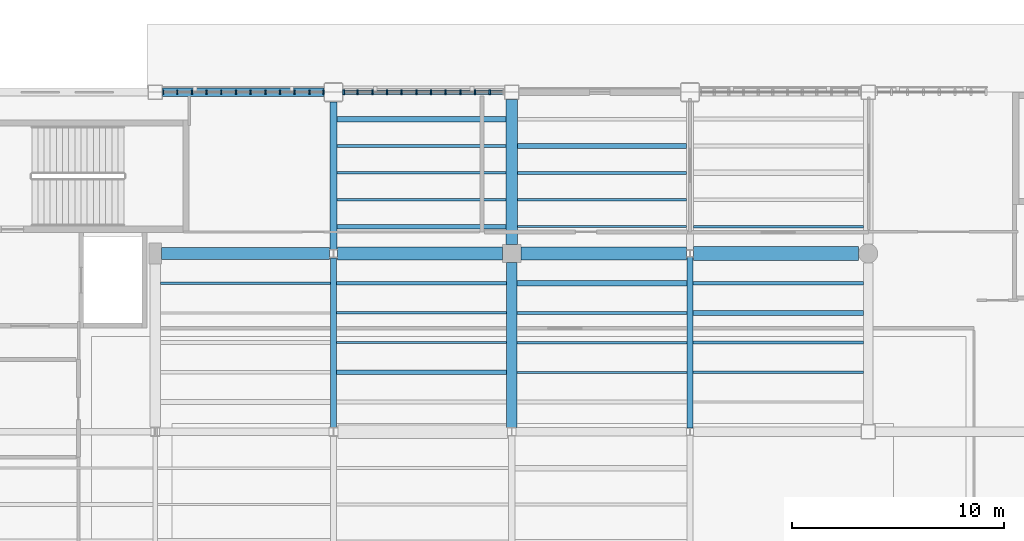
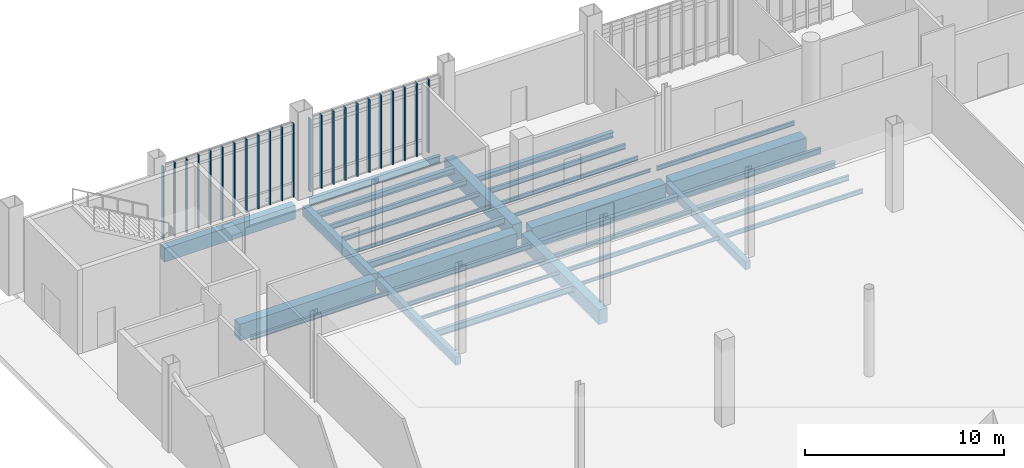
# One storey, part 25 of 111: 34 beams, 23 members, 2 elements without a shape of their own.
"""IFC4 building model written with IfcOpenShell, lengths in metres."""

from ifc_helpers import new_model, si_unit, direction, frame, origin, origin_2d, place, context, subcontext, project, spatial, rectangle, i_section, extrude, material, material_profile, profile_set, type_object, element, aggregate, save


model = new_model("IFC4")

# Units and contexts
model_context = context("Model", 3, precision=1e-05, world=origin(), true_north=direction((0.0, 1.0)))
body_context = subcontext(model_context, "Body", "Model", "MODEL_VIEW")
ifc_project = project(units=[si_unit("LENGTHUNIT", "METRE"), si_unit("AREAUNIT", "SQUARE_METRE"), si_unit("VOLUMEUNIT", "CUBIC_METRE"), si_unit("PLANEANGLEUNIT", "RADIAN"), si_unit("MASSUNIT", "GRAM", prefix="KILO")], contexts=[model_context])

# Site, building, storey
site_placement = place(None, origin())
site = spatial("IfcSite", under=ifc_project, at=site_placement, CompositionType="ELEMENT")
building_placement = place(site_placement, origin())
building = spatial("IfcBuilding", under=site, at=building_placement, Name="Larkvane Passage Sports Hall", CompositionType="ELEMENT")
storey_placement = place(building_placement, origin())
storey = spatial("IfcBuildingStorey", under=building, at=storey_placement, Name="L00", CompositionType="ELEMENT", Elevation=0.0)

# Beams
ifc_material_1 = material(Name="Concrete C40/50", Category="concrete")
ifc_material_profile_1 = material_profile(ifc_material_1, rectangle(XDim=0.300048828125, YDim=0.5, at=origin_2d()), Name="RC-BM-300x500")
ifc_profile_set_1 = profile_set([ifc_material_profile_1], Name="Concrete C40/50")
beam_type_1 = type_object("IfcBeamType", Name="BM-RC-300x500", PredefinedType="BEAM", material=ifc_profile_set_1)
beam_1_placement = place(storey_placement, frame((51.60009765625, 75.806884765625, -0.669921875), z_axis=(0.0, 1.0, 0.0), x_axis=(-1.0, 0.0, 0.0)))
element("IfcBeam", 1, at=beam_1_placement, inside=storey, type_object=beam_type_1, Name="Girder BM5-Y-L00-8-0092", PredefinedType="BEAM", context=body_context, shape_type="SweptSolid", body=[
    extrude(rectangle(XDim=0.300048828125, YDim=0.5, at=origin_2d()), origin(), (0.0, 0.0, 1.0), 7.9931640625),
])
beam_2_placement = place(storey_placement, frame((68.39990234375, 75.77490234375, -0.669921875), z_axis=(0.0, 1.0, 0.0), x_axis=(-1.0, 0.0, 0.0)))
element("IfcBeam", 2, at=beam_2_placement, inside=storey, type_object=beam_type_1, Name="Girder BM5-Y-L00-10-0105", PredefinedType="BEAM", context=body_context, shape_type="SweptSolid", body=[
    extrude(rectangle(XDim=0.300048828125, YDim=0.5, at=origin_2d()), origin(), (0.0, 0.0, 1.0), 8.050048828125),
])
ifc_material_profile_2 = material_profile(ifc_material_1, rectangle(XDim=0.35009765625, YDim=0.60009765625, at=origin_2d()), Name="RC-BM-350x600")
ifc_profile_set_2 = profile_set([ifc_material_profile_2], Name="Concrete C40/50")
beam_type_2 = type_object("IfcBeamType", Name="BM-RC-350x600", PredefinedType="BEAM", material=ifc_profile_set_2)
beam_3_placement = place(storey_placement, frame((51.60009765625, 84.199951171875, -0.719970703125), z_axis=(0.0, 1.0, 0.0), x_axis=(-1.0, 0.0, 0.0)))
element("IfcBeam", 3, at=beam_3_placement, inside=storey, type_object=beam_type_2, Name="Girder BM5-Y-L00-8-0093", PredefinedType="BEAM", context=body_context, shape_type="SweptSolid", body=[
    extrude(rectangle(XDim=0.35009765625, YDim=0.60009765625, at=origin_2d()), origin(), (0.0, 0.0, 1.0), 6.949951171875),
])
ifc_material_profile_3 = material_profile(ifc_material_1, rectangle(XDim=0.5, YDim=0.89990234375, at=origin_2d()), Name="RC-BM-500x900")
ifc_profile_set_3 = profile_set([ifc_material_profile_3], Name="Concrete C40/50")
beam_type_3 = type_object("IfcBeamType", Name="BM-RC-500x900", PredefinedType="BEAM", material=ifc_profile_set_3)
beam_4_placement = place(storey_placement, frame((60.0, 75.800048828125, -0.8701171875), z_axis=(0.0, 1.0, 0.0), x_axis=(-1.0, 0.0, 0.0)))
element("IfcBeam", 4, at=beam_4_placement, inside=storey, type_object=beam_type_3, Name="Girder BM5-Y-L00-9-0099", PredefinedType="BEAM", context=body_context, shape_type="SweptSolid", body=[
    extrude(rectangle(XDim=0.5, YDim=0.89990234375, at=origin_2d()), origin(), (0.0, 0.0, 1.0), 7.77490234375),
])
ifc_material_2 = material(Name="Concrete C50/60", Category="concrete")
ifc_material_profile_4 = material_profile(ifc_material_2, rectangle(XDim=0.550048828125, YDim=1.0, at=origin_2d()), Name="RC-BM-550x1000")
ifc_profile_set_4 = profile_set([ifc_material_profile_4], Name="Concrete C50/60")
beam_type_4 = type_object("IfcBeamType", Name="BM-RC-550x1000", PredefinedType="BEAM", material=ifc_profile_set_4)
beam_5_placement = place(storey_placement, frame((43.5, 84.0, -0.919921875), z_axis=(1.0, 0.0, 0.0), x_axis=(0.0, 1.0, 0.0)))
element("IfcBeam", 5, at=beam_5_placement, inside=storey, type_object=beam_type_4, Name="Girder BM5-X-L00-K-0061", PredefinedType="BEAM", context=body_context, shape_type="SweptSolid", body=[
    extrude(rectangle(XDim=0.550048828125, YDim=1.0, at=origin_2d()), origin(), (0.0, 0.0, 1.0), 7.89990234375),
])
beam_6_placement = place(storey_placement, frame((60.0, 84.425048828125, -0.919921875), z_axis=(0.0, 1.0, 0.0), x_axis=(-1.0, 0.0, 0.0)))
element("IfcBeam", 6, at=beam_6_placement, inside=storey, type_object=beam_type_4, Name="Girder BM5-Y-L00-9-0100", PredefinedType="BEAM", context=body_context, shape_type="SweptSolid", body=[
    extrude(rectangle(XDim=0.550048828125, YDim=1.0, at=origin_2d()), origin(), (0.0, 0.0, 1.0), 6.824951171875),
])
ifc_material_profile_5 = material_profile(ifc_material_2, rectangle(XDim=0.60009765625, YDim=1.050048828125, at=origin_2d()), Name="RC-BM-600x1050")
ifc_profile_set_5 = profile_set([ifc_material_profile_5], Name="Concrete C50/60")
beam_type_5 = type_object("IfcBeamType", Name="BM-RC-600x1050", PredefinedType="BEAM", material=ifc_profile_set_5)
beam_7_placement = place(storey_placement, frame((51.800048828125, 84.0, -0.945068359375), z_axis=(1.0, 0.0, 0.0), x_axis=(0.0, 1.0, 0.0)))
element("IfcBeam", 7, at=beam_7_placement, inside=storey, type_object=beam_type_5, Name="Girder BM5-X-L00-K-0062", PredefinedType="BEAM", context=body_context, shape_type="SweptSolid", body=[
    extrude(rectangle(XDim=0.60009765625, YDim=1.050048828125, at=origin_2d()), origin(), (0.0, 0.0, 1.0), 7.77490234375),
])
ifc_material_profile_6 = material_profile(ifc_material_2, rectangle(XDim=0.60009765625, YDim=1.10009765625, at=origin_2d()), Name="RC-BM-600x1100")
ifc_profile_set_6 = profile_set([ifc_material_profile_6], Name="Concrete C50/60")
beam_type_6 = type_object("IfcBeamType", Name="BM-RC-600x1100", PredefinedType="BEAM", material=ifc_profile_set_6)
beam_8_placement = place(storey_placement, frame((60.425048828125, 84.0, -0.969970703125), z_axis=(1.0, 0.0, 0.0), x_axis=(0.0, 1.0, 0.0)))
element("IfcBeam", 8, at=beam_8_placement, inside=storey, type_object=beam_type_6, Name="Girder BM5-X-L00-K-0063", PredefinedType="BEAM", context=body_context, shape_type="SweptSolid", body=[
    extrude(rectangle(XDim=0.60009765625, YDim=1.10009765625, at=origin_2d()), origin(), (0.0, 0.0, 1.0), 7.800048828125),
])

# Curtain wall, members
ifc_material_3 = material(Name="Thermally broken aluminium and low-E glazing", Category="aluminium")
curtain_wall_type_1 = type_object("IfcCurtainWallType", Name="CW-UNIT-COURT", PredefinedType="USERDEFINED", material=ifc_material_3)
curtain_wall_1_placement = place(storey_placement, origin())
curtain_wall_1 = element("IfcCurtainWall", 9, at=curtain_wall_1_placement, inside=storey, type_object=curtain_wall_type_1, Name="Curtain wall CW5-L00-008", ObjectType="UNITISED CURTAIN WALL", PredefinedType="USERDEFINED")
ifc_material_4 = material(Name="Anodised aluminium 6063-T6", Category="aluminium")
ifc_material_profile_7 = material_profile(ifc_material_4, rectangle(XDim=0.06494140625, YDim=0.179931640625, at=origin_2d()), Name="ALU-MUL-65x180")
ifc_profile_set_7 = profile_set([ifc_material_profile_7], Name="Anodised aluminium 6063-T6")
member_type_1 = type_object("IfcMemberType", Name="CW-MUL-65x180", PredefinedType="MULLION", material=ifc_profile_set_7)
member_1_placement = place(storey_placement, frame((43.57861328125, 91.60009765625, 0.0), z_axis=(0.0, 0.0, 1.0), x_axis=(1.0, 0.0, 0.0)))
member_1 = element("IfcMember", 10, at=member_1_placement, type_object=member_type_1, Name="CW-01 mullion 1", PredefinedType="MULLION", context=body_context, shape_type="SweptSolid", body=[
    extrude(rectangle(XDim=0.06494140625, YDim=0.179931640625, at=origin_2d()), origin(), (0.0, 0.0, 1.0), 4.51806640625),
])
member_2_placement = place(storey_placement, frame((44.237548828125, 91.60009765625, 0.0), z_axis=(0.0, 0.0, 1.0), x_axis=(1.0, 0.0, 0.0)))
member_2 = element("IfcMember", 11, at=member_2_placement, type_object=member_type_1, Name="CW-01 mullion 2", PredefinedType="MULLION", context=body_context, shape_type="SweptSolid", body=[
    extrude(rectangle(XDim=0.06494140625, YDim=0.179931640625, at=origin_2d()), origin(), (0.0, 0.0, 1.0), 4.51806640625),
])
member_3_placement = place(storey_placement, frame((44.92919921875, 91.60009765625, 0.0), z_axis=(0.0, 0.0, 1.0), x_axis=(1.0, 0.0, 0.0)))
member_3 = element("IfcMember", 12, at=member_3_placement, type_object=member_type_1, Name="CW-01 mullion 3", PredefinedType="MULLION", context=body_context, shape_type="SweptSolid", body=[
    extrude(rectangle(XDim=0.06494140625, YDim=0.179931640625, at=origin_2d()), origin(), (0.0, 0.0, 1.0), 4.51806640625),
])
member_4_placement = place(storey_placement, frame((45.620849609375, 91.60009765625, 0.0), z_axis=(0.0, 0.0, 1.0), x_axis=(1.0, 0.0, 0.0)))
member_4 = element("IfcMember", 13, at=member_4_placement, type_object=member_type_1, Name="CW-01 mullion 4", PredefinedType="MULLION", context=body_context, shape_type="SweptSolid", body=[
    extrude(rectangle(XDim=0.06494140625, YDim=0.179931640625, at=origin_2d()), origin(), (0.0, 0.0, 1.0), 4.51806640625),
])
member_5_placement = place(storey_placement, frame((46.3125, 91.60009765625, 0.0), z_axis=(0.0, 0.0, 1.0), x_axis=(1.0, 0.0, 0.0)))
member_5 = element("IfcMember", 14, at=member_5_placement, type_object=member_type_1, Name="CW-01 mullion 5", PredefinedType="MULLION", context=body_context, shape_type="SweptSolid", body=[
    extrude(rectangle(XDim=0.06494140625, YDim=0.179931640625, at=origin_2d()), origin(), (0.0, 0.0, 1.0), 4.51806640625),
])
member_6_placement = place(storey_placement, frame((47.004150390625, 91.60009765625, 0.0), z_axis=(0.0, 0.0, 1.0), x_axis=(1.0, 0.0, 0.0)))
member_6 = element("IfcMember", 15, at=member_6_placement, type_object=member_type_1, Name="CW-01 mullion 6", PredefinedType="MULLION", context=body_context, shape_type="SweptSolid", body=[
    extrude(rectangle(XDim=0.06494140625, YDim=0.179931640625, at=origin_2d()), origin(), (0.0, 0.0, 1.0), 4.51806640625),
])
member_7_placement = place(storey_placement, frame((47.69580078125, 91.60009765625, 0.0), z_axis=(0.0, 0.0, 1.0), x_axis=(1.0, 0.0, 0.0)))
member_7 = element("IfcMember", 16, at=member_7_placement, type_object=member_type_1, Name="CW-01 mullion 7", PredefinedType="MULLION", context=body_context, shape_type="SweptSolid", body=[
    extrude(rectangle(XDim=0.06494140625, YDim=0.179931640625, at=origin_2d()), origin(), (0.0, 0.0, 1.0), 4.51806640625),
])
member_8_placement = place(storey_placement, frame((48.387451171875, 91.60009765625, 0.0), z_axis=(0.0, 0.0, 1.0), x_axis=(1.0, 0.0, 0.0)))
member_8 = element("IfcMember", 17, at=member_8_placement, type_object=member_type_1, Name="CW-01 mullion 8", PredefinedType="MULLION", context=body_context, shape_type="SweptSolid", body=[
    extrude(rectangle(XDim=0.06494140625, YDim=0.179931640625, at=origin_2d()), origin(), (0.0, 0.0, 1.0), 4.51806640625),
])
member_9_placement = place(storey_placement, frame((49.0791015625, 91.60009765625, 0.0), z_axis=(0.0, 0.0, 1.0), x_axis=(1.0, 0.0, 0.0)))
member_9 = element("IfcMember", 18, at=member_9_placement, type_object=member_type_1, Name="CW-01 mullion 9", PredefinedType="MULLION", context=body_context, shape_type="SweptSolid", body=[
    extrude(rectangle(XDim=0.06494140625, YDim=0.179931640625, at=origin_2d()), origin(), (0.0, 0.0, 1.0), 4.51806640625),
])
member_10_placement = place(storey_placement, frame((49.770751953125, 91.60009765625, 0.0), z_axis=(0.0, 0.0, 1.0), x_axis=(1.0, 0.0, 0.0)))
member_10 = element("IfcMember", 19, at=member_10_placement, type_object=member_type_1, Name="CW-01 mullion 10", PredefinedType="MULLION", context=body_context, shape_type="SweptSolid", body=[
    extrude(rectangle(XDim=0.06494140625, YDim=0.179931640625, at=origin_2d()), origin(), (0.0, 0.0, 1.0), 4.51806640625),
])
member_11_placement = place(storey_placement, frame((50.46240234375, 91.60009765625, 0.0), z_axis=(0.0, 0.0, 1.0), x_axis=(1.0, 0.0, 0.0)))
member_11 = element("IfcMember", 20, at=member_11_placement, type_object=member_type_1, Name="CW-01 mullion 11", PredefinedType="MULLION", context=body_context, shape_type="SweptSolid", body=[
    extrude(rectangle(XDim=0.06494140625, YDim=0.179931640625, at=origin_2d()), origin(), (0.0, 0.0, 1.0), 4.51806640625),
])
member_12_placement = place(storey_placement, frame((51.12158203125, 91.60009765625, 0.0), z_axis=(0.0, 0.0, 1.0), x_axis=(1.0, 0.0, 0.0)))
member_12 = element("IfcMember", 21, at=member_12_placement, type_object=member_type_1, Name="CW-01 mullion 12", PredefinedType="MULLION", context=body_context, shape_type="SweptSolid", body=[
    extrude(rectangle(XDim=0.06494140625, YDim=0.179931640625, at=origin_2d()), origin(), (0.0, 0.0, 1.0), 4.51806640625),
])
aggregate(curtain_wall_1, [member_1, member_2, member_3, member_4, member_5, member_6, member_7, member_8, member_9, member_10, member_11, member_12])

curtain_wall_type_2 = type_object("IfcCurtainWallType", Name="CW-UNIT-VEIL", PredefinedType="USERDEFINED", material=ifc_material_3)
curtain_wall_2_placement = place(storey_placement, origin())
curtain_wall_2 = element("IfcCurtainWall", 22, at=curtain_wall_2_placement, inside=storey, type_object=curtain_wall_type_2, Name="Curtain wall CW5-L00-009", ObjectType="UNITISED CURTAIN WALL", PredefinedType="USERDEFINED")
ifc_material_profile_8 = material_profile(ifc_material_4, rectangle(XDim=0.074951171875, YDim=0.22509765625, at=origin_2d()), Name="ALU-MUL-75x225")
ifc_profile_set_8 = profile_set([ifc_material_profile_8], Name="Anodised aluminium 6063-T6")
member_type_2 = type_object("IfcMemberType", Name="CW-MUL-75x225", PredefinedType="MULLION", material=ifc_profile_set_8)
member_13_placement = place(storey_placement, frame((52.08349609375, 91.60009765625, 0.0), z_axis=(0.0, 0.0, 1.0), x_axis=(1.0, 0.0, 0.0)))
member_13 = element("IfcMember", 23, at=member_13_placement, type_object=member_type_2, Name="CW-02 mullion 1", PredefinedType="MULLION", context=body_context, shape_type="SweptSolid", body=[
    extrude(rectangle(XDim=0.074951171875, YDim=0.22509765625, at=origin_2d()), origin(), (0.0, 0.0, 1.0), 4.468017578125),
])
member_14_placement = place(storey_placement, frame((52.737548828125, 91.60009765625, 0.0), z_axis=(0.0, 0.0, 1.0), x_axis=(1.0, 0.0, 0.0)))
member_14 = element("IfcMember", 24, at=member_14_placement, type_object=member_type_2, Name="CW-02 mullion 2", PredefinedType="MULLION", context=body_context, shape_type="SweptSolid", body=[
    extrude(rectangle(XDim=0.074951171875, YDim=0.22509765625, at=origin_2d()), origin(), (0.0, 0.0, 1.0), 4.468017578125),
])
member_15_placement = place(storey_placement, frame((53.42919921875, 91.60009765625, 0.0), z_axis=(0.0, 0.0, 1.0), x_axis=(1.0, 0.0, 0.0)))
member_15 = element("IfcMember", 25, at=member_15_placement, type_object=member_type_2, Name="CW-02 mullion 3", PredefinedType="MULLION", context=body_context, shape_type="SweptSolid", body=[
    extrude(rectangle(XDim=0.074951171875, YDim=0.22509765625, at=origin_2d()), origin(), (0.0, 0.0, 1.0), 4.468017578125),
])
member_16_placement = place(storey_placement, frame((54.120849609375, 91.60009765625, 0.0), z_axis=(0.0, 0.0, 1.0), x_axis=(1.0, 0.0, 0.0)))
member_16 = element("IfcMember", 26, at=member_16_placement, type_object=member_type_2, Name="CW-02 mullion 4", PredefinedType="MULLION", context=body_context, shape_type="SweptSolid", body=[
    extrude(rectangle(XDim=0.074951171875, YDim=0.22509765625, at=origin_2d()), origin(), (0.0, 0.0, 1.0), 4.468017578125),
])
member_17_placement = place(storey_placement, frame((54.8125, 91.60009765625, 0.0), z_axis=(0.0, 0.0, 1.0), x_axis=(1.0, 0.0, 0.0)))
member_17 = element("IfcMember", 27, at=member_17_placement, type_object=member_type_2, Name="CW-02 mullion 5", PredefinedType="MULLION", context=body_context, shape_type="SweptSolid", body=[
    extrude(rectangle(XDim=0.074951171875, YDim=0.22509765625, at=origin_2d()), origin(), (0.0, 0.0, 1.0), 4.468017578125),
])
member_18_placement = place(storey_placement, frame((55.504150390625, 91.60009765625, 0.0), z_axis=(0.0, 0.0, 1.0), x_axis=(1.0, 0.0, 0.0)))
member_18 = element("IfcMember", 28, at=member_18_placement, type_object=member_type_2, Name="CW-02 mullion 6", PredefinedType="MULLION", context=body_context, shape_type="SweptSolid", body=[
    extrude(rectangle(XDim=0.074951171875, YDim=0.22509765625, at=origin_2d()), origin(), (0.0, 0.0, 1.0), 4.468017578125),
])
member_19_placement = place(storey_placement, frame((56.19580078125, 91.60009765625, 0.0), z_axis=(0.0, 0.0, 1.0), x_axis=(1.0, 0.0, 0.0)))
member_19 = element("IfcMember", 29, at=member_19_placement, type_object=member_type_2, Name="CW-02 mullion 7", PredefinedType="MULLION", context=body_context, shape_type="SweptSolid", body=[
    extrude(rectangle(XDim=0.074951171875, YDim=0.22509765625, at=origin_2d()), origin(), (0.0, 0.0, 1.0), 4.468017578125),
])
member_20_placement = place(storey_placement, frame((56.887451171875, 91.60009765625, 0.0), z_axis=(0.0, 0.0, 1.0), x_axis=(1.0, 0.0, 0.0)))
member_20 = element("IfcMember", 30, at=member_20_placement, type_object=member_type_2, Name="CW-02 mullion 8", PredefinedType="MULLION", context=body_context, shape_type="SweptSolid", body=[
    extrude(rectangle(XDim=0.074951171875, YDim=0.22509765625, at=origin_2d()), origin(), (0.0, 0.0, 1.0), 4.468017578125),
])
member_21_placement = place(storey_placement, frame((57.5791015625, 91.60009765625, 0.0), z_axis=(0.0, 0.0, 1.0), x_axis=(1.0, 0.0, 0.0)))
member_21 = element("IfcMember", 31, at=member_21_placement, type_object=member_type_2, Name="CW-02 mullion 9", PredefinedType="MULLION", context=body_context, shape_type="SweptSolid", body=[
    extrude(rectangle(XDim=0.074951171875, YDim=0.22509765625, at=origin_2d()), origin(), (0.0, 0.0, 1.0), 4.468017578125),
])
member_22_placement = place(storey_placement, frame((58.270751953125, 91.60009765625, 0.0), z_axis=(0.0, 0.0, 1.0), x_axis=(1.0, 0.0, 0.0)))
member_22 = element("IfcMember", 32, at=member_22_placement, type_object=member_type_2, Name="CW-02 mullion 10", PredefinedType="MULLION", context=body_context, shape_type="SweptSolid", body=[
    extrude(rectangle(XDim=0.074951171875, YDim=0.22509765625, at=origin_2d()), origin(), (0.0, 0.0, 1.0), 4.468017578125),
])
member_23_placement = place(storey_placement, frame((58.96240234375, 91.60009765625, 0.0), z_axis=(0.0, 0.0, 1.0), x_axis=(1.0, 0.0, 0.0)))
member_23 = element("IfcMember", 33, at=member_23_placement, type_object=member_type_2, Name="CW-02 mullion 11", PredefinedType="MULLION", context=body_context, shape_type="SweptSolid", body=[
    extrude(rectangle(XDim=0.074951171875, YDim=0.22509765625, at=origin_2d()), origin(), (0.0, 0.0, 1.0), 4.468017578125),
])
aggregate(curtain_wall_2, [member_13, member_14, member_15, member_16, member_17, member_18, member_19, member_20, member_21, member_22, member_23])

# Beams
ifc_material_5 = material(Name="Steel S355JR", Category="steel")
ifc_material_profile_9 = material_profile(ifc_material_5, i_section(OverallWidth=0.10009765625, OverallDepth=0.199951171875, WebThickness=0.005615234375, FlangeThickness=0.008056640625, FilletRadius=0.008056640625, at=origin_2d()), Name="H-200x100x5.5x8")
ifc_profile_set_9 = profile_set([ifc_material_profile_9], Name="Steel S355JR")
beam_type_7 = type_object("IfcBeamType", Name="JST-STL-H200", PredefinedType="JOIST", material=ifc_profile_set_9)
beam_9_placement = place(storey_placement, frame((51.75, 79.800048828125, -0.52001953125), z_axis=(1.0, 0.0, 0.0), x_axis=(0.0, 1.0, 0.0)))
element("IfcBeam", 34, at=beam_9_placement, inside=storey, type_object=beam_type_7, Name="Composite joist L00 8/J-3", PredefinedType="JOIST", context=body_context, shape_type="SweptSolid", body=[
    extrude(i_section(OverallWidth=0.10009765625, OverallDepth=0.199951171875, WebThickness=0.005615234375, FlangeThickness=0.008056640625, FilletRadius=0.008056640625, at=origin_2d()), origin(), (0.0, 0.0, 1.0), 8.0),
])
beam_10_placement = place(storey_placement, frame((51.77490234375, 86.533447265625, -0.52001953125), z_axis=(1.0, 0.0, 0.0), x_axis=(0.0, 1.0, 0.0)))
element("IfcBeam", 35, at=beam_10_placement, inside=storey, type_object=beam_type_7, Name="Composite joist L00 8/K-2", PredefinedType="JOIST", context=body_context, shape_type="SweptSolid", body=[
    extrude(i_section(OverallWidth=0.10009765625, OverallDepth=0.199951171875, WebThickness=0.005615234375, FlangeThickness=0.008056640625, FilletRadius=0.008056640625, at=origin_2d()), origin(), (0.0, 0.0, 1.0), 7.9501953125),
])
beam_11_placement = place(storey_placement, frame((60.25, 78.39990234375, -0.52001953125), z_axis=(1.0, 0.0, 0.0), x_axis=(0.0, 1.0, 0.0)))
element("IfcBeam", 36, at=beam_11_placement, inside=storey, type_object=beam_type_7, Name="Composite joist L00 9/J-2", PredefinedType="JOIST", context=body_context, shape_type="SweptSolid", body=[
    extrude(i_section(OverallWidth=0.10009765625, OverallDepth=0.199951171875, WebThickness=0.005615234375, FlangeThickness=0.008056640625, FilletRadius=0.008056640625, at=origin_2d()), origin(), (0.0, 0.0, 1.0), 8.0),
])
beam_12_placement = place(storey_placement, frame((60.27490234375, 85.2666015625, -0.52001953125), z_axis=(1.0, 0.0, 0.0), x_axis=(0.0, 1.0, 0.0)))
element("IfcBeam", 37, at=beam_12_placement, inside=storey, type_object=beam_type_7, Name="Composite joist L00 9/K-1", PredefinedType="JOIST", context=body_context, shape_type="SweptSolid", body=[
    extrude(i_section(OverallWidth=0.10009765625, OverallDepth=0.199951171875, WebThickness=0.005615234375, FlangeThickness=0.008056640625, FilletRadius=0.008056640625, at=origin_2d()), origin(), (0.0, 0.0, 1.0), 7.9501953125),
])
ifc_material_profile_10 = material_profile(ifc_material_5, i_section(OverallWidth=0.125, OverallDepth=0.25, WebThickness=0.006103515625, FlangeThickness=0.009033203125, FilletRadius=0.008056640625, at=origin_2d()), Name="H-250x125x6x9")
ifc_profile_set_10 = profile_set([ifc_material_profile_10], Name="Steel S355JR")
beam_type_8 = type_object("IfcBeamType", Name="JST-STL-H250", PredefinedType="JOIST", material=ifc_profile_set_10)
for number, where, z_axis, x_axis, name in (
    (38, (43.449951171875, 82.60009765625, -0.544921875), (1.0, 0.0, 0.0), (0.0, 1.0, 0.0), "Composite joist L00 7/J-5"),
    (39, (51.75, 81.199951171875, -0.544921875), (1.0, 0.0, 0.0), (0.0, 1.0, 0.0), "Composite joist L00 8/J-4"),
):
    element("IfcBeam", number, at=place(storey_placement, frame(where, z_axis=z_axis, x_axis=x_axis)), inside=storey, type_object=beam_type_8, Name=name, PredefinedType="JOIST", context=body_context, shape_type="SweptSolid", body=[
        extrude(i_section(OverallWidth=0.125, OverallDepth=0.25, WebThickness=0.006103515625, FlangeThickness=0.009033203125, FilletRadius=0.008056640625, at=origin_2d()), origin(), (0.0, 0.0, 1.0), 8.0),
    ])
beam_13_placement = place(storey_placement, frame((51.77490234375, 87.800048828125, -0.544921875), z_axis=(1.0, 0.0, 0.0), x_axis=(0.0, 1.0, 0.0)))
element("IfcBeam", 40, at=beam_13_placement, inside=storey, type_object=beam_type_8, Name="Composite joist L00 8/K-3", PredefinedType="JOIST", context=body_context, shape_type="SweptSolid", body=[
    extrude(i_section(OverallWidth=0.125, OverallDepth=0.25, WebThickness=0.006103515625, FlangeThickness=0.009033203125, FilletRadius=0.008056640625, at=origin_2d()), origin(), (0.0, 0.0, 1.0), 7.9501953125),
])
beam_14_placement = place(storey_placement, frame((60.25, 79.800048828125, -0.544921875), z_axis=(1.0, 0.0, 0.0), x_axis=(0.0, 1.0, 0.0)))
element("IfcBeam", 41, at=beam_14_placement, inside=storey, type_object=beam_type_8, Name="Composite joist L00 9/J-3", PredefinedType="JOIST", context=body_context, shape_type="SweptSolid", body=[
    extrude(i_section(OverallWidth=0.125, OverallDepth=0.25, WebThickness=0.006103515625, FlangeThickness=0.009033203125, FilletRadius=0.008056640625, at=origin_2d()), origin(), (0.0, 0.0, 1.0), 8.0),
])
beam_15_placement = place(storey_placement, frame((60.27490234375, 86.533447265625, -0.544921875), z_axis=(1.0, 0.0, 0.0), x_axis=(0.0, 1.0, 0.0)))
element("IfcBeam", 42, at=beam_15_placement, inside=storey, type_object=beam_type_8, Name="Composite joist L00 9/K-2", PredefinedType="JOIST", context=body_context, shape_type="SweptSolid", body=[
    extrude(i_section(OverallWidth=0.125, OverallDepth=0.25, WebThickness=0.006103515625, FlangeThickness=0.009033203125, FilletRadius=0.008056640625, at=origin_2d()), origin(), (0.0, 0.0, 1.0), 7.9501953125),
])
beam_16_placement = place(storey_placement, frame((68.550048828125, 78.39990234375, -0.544921875), z_axis=(1.0, 0.0, 0.0), x_axis=(0.0, 1.0, 0.0)))
element("IfcBeam", 43, at=beam_16_placement, inside=storey, type_object=beam_type_8, Name="Composite joist L00 10/J-2", PredefinedType="JOIST", context=body_context, shape_type="SweptSolid", body=[
    extrude(i_section(OverallWidth=0.125, OverallDepth=0.25, WebThickness=0.006103515625, FlangeThickness=0.009033203125, FilletRadius=0.008056640625, at=origin_2d()), origin(), (0.0, 0.0, 1.0), 8.02490234375),
])
beam_17_placement = place(storey_placement, frame((68.574951171875, 85.2666015625, -0.544921875), z_axis=(1.0, 0.0, 0.0), x_axis=(0.0, 1.0, 0.0)))
element("IfcBeam", 44, at=beam_17_placement, inside=storey, type_object=beam_type_8, Name="Composite joist L00 10/K-1", PredefinedType="JOIST", context=body_context, shape_type="SweptSolid", body=[
    extrude(i_section(OverallWidth=0.125, OverallDepth=0.25, WebThickness=0.006103515625, FlangeThickness=0.009033203125, FilletRadius=0.008056640625, at=origin_2d()), origin(), (0.0, 0.0, 1.0), 8.0),
])
ifc_material_profile_11 = material_profile(ifc_material_5, i_section(OverallWidth=0.14990234375, OverallDepth=0.300048828125, WebThickness=0.006591796875, FlangeThickness=0.009033203125, FilletRadius=0.012939453125, at=origin_2d()), Name="H-300x150x6.5x9")
ifc_profile_set_11 = profile_set([ifc_material_profile_11], Name="Steel S355JR")
beam_type_9 = type_object("IfcBeamType", Name="JST-STL-H300", PredefinedType="JOIST", material=ifc_profile_set_11)
beam_18_placement = place(storey_placement, frame((51.75, 82.60009765625, -0.570068359375), z_axis=(1.0, 0.0, 0.0), x_axis=(0.0, 1.0, 0.0)))
element("IfcBeam", 45, at=beam_18_placement, inside=storey, type_object=beam_type_9, Name="Composite joist L00 8/J-5", PredefinedType="JOIST", context=body_context, shape_type="SweptSolid", body=[
    extrude(i_section(OverallWidth=0.14990234375, OverallDepth=0.300048828125, WebThickness=0.006591796875, FlangeThickness=0.009033203125, FilletRadius=0.012939453125, at=origin_2d()), origin(), (0.0, 0.0, 1.0), 8.0),
])
beam_19_placement = place(storey_placement, frame((51.77490234375, 89.066650390625, -0.570068359375), z_axis=(1.0, 0.0, 0.0), x_axis=(0.0, 1.0, 0.0)))
element("IfcBeam", 46, at=beam_19_placement, inside=storey, type_object=beam_type_9, Name="Composite joist L00 8/K-4", PredefinedType="JOIST", context=body_context, shape_type="SweptSolid", body=[
    extrude(i_section(OverallWidth=0.14990234375, OverallDepth=0.300048828125, WebThickness=0.006591796875, FlangeThickness=0.009033203125, FilletRadius=0.012939453125, at=origin_2d()), origin(), (0.0, 0.0, 1.0), 7.9501953125),
])
beam_20_placement = place(storey_placement, frame((60.25, 81.199951171875, -0.570068359375), z_axis=(1.0, 0.0, 0.0), x_axis=(0.0, 1.0, 0.0)))
element("IfcBeam", 47, at=beam_20_placement, inside=storey, type_object=beam_type_9, Name="Composite joist L00 9/J-4", PredefinedType="JOIST", context=body_context, shape_type="SweptSolid", body=[
    extrude(i_section(OverallWidth=0.14990234375, OverallDepth=0.300048828125, WebThickness=0.006591796875, FlangeThickness=0.009033203125, FilletRadius=0.012939453125, at=origin_2d()), origin(), (0.0, 0.0, 1.0), 8.0),
])
beam_21_placement = place(storey_placement, frame((60.27490234375, 87.800048828125, -0.570068359375), z_axis=(1.0, 0.0, 0.0), x_axis=(0.0, 1.0, 0.0)))
element("IfcBeam", 48, at=beam_21_placement, inside=storey, type_object=beam_type_9, Name="Composite joist L00 9/K-3", PredefinedType="JOIST", context=body_context, shape_type="SweptSolid", body=[
    extrude(i_section(OverallWidth=0.14990234375, OverallDepth=0.300048828125, WebThickness=0.006591796875, FlangeThickness=0.009033203125, FilletRadius=0.012939453125, at=origin_2d()), origin(), (0.0, 0.0, 1.0), 7.9501953125),
])
beam_22_placement = place(storey_placement, frame((68.550048828125, 79.800048828125, -0.570068359375), z_axis=(1.0, 0.0, 0.0), x_axis=(0.0, 1.0, 0.0)))
element("IfcBeam", 49, at=beam_22_placement, inside=storey, type_object=beam_type_9, Name="Composite joist L00 10/J-3", PredefinedType="JOIST", context=body_context, shape_type="SweptSolid", body=[
    extrude(i_section(OverallWidth=0.14990234375, OverallDepth=0.300048828125, WebThickness=0.006591796875, FlangeThickness=0.009033203125, FilletRadius=0.012939453125, at=origin_2d()), origin(), (0.0, 0.0, 1.0), 8.02490234375),
])
ifc_material_profile_12 = material_profile(ifc_material_5, i_section(OverallWidth=0.25, OverallDepth=0.340087890625, WebThickness=0.009033203125, FlangeThickness=0.013916015625, FilletRadius=0.012939453125, at=origin_2d()), Name="H-340x250x9x14")
ifc_profile_set_12 = profile_set([ifc_material_profile_12], Name="Steel S355JR")
beam_type_10 = type_object("IfcBeamType", Name="JST-STL-H340", PredefinedType="JOIST", material=ifc_profile_set_12)
beam_23_placement = place(storey_placement, frame((51.77490234375, 90.333251953125, -0.590087890625), z_axis=(1.0, 0.0, 0.0), x_axis=(0.0, 1.0, 0.0)))
element("IfcBeam", 50, at=beam_23_placement, inside=storey, type_object=beam_type_10, Name="Composite joist L00 8/K-5", PredefinedType="JOIST", context=body_context, shape_type="SweptSolid", body=[
    extrude(i_section(OverallWidth=0.25, OverallDepth=0.340087890625, WebThickness=0.009033203125, FlangeThickness=0.013916015625, FilletRadius=0.012939453125, at=origin_2d()), origin(), (0.0, 0.0, 1.0), 7.9501953125),
])
beam_24_placement = place(storey_placement, frame((60.25, 82.60009765625, -0.590087890625), z_axis=(1.0, 0.0, 0.0), x_axis=(0.0, 1.0, 0.0)))
element("IfcBeam", 51, at=beam_24_placement, inside=storey, type_object=beam_type_10, Name="Composite joist L00 9/J-5", PredefinedType="JOIST", context=body_context, shape_type="SweptSolid", body=[
    extrude(i_section(OverallWidth=0.25, OverallDepth=0.340087890625, WebThickness=0.009033203125, FlangeThickness=0.013916015625, FilletRadius=0.012939453125, at=origin_2d()), origin(), (0.0, 0.0, 1.0), 8.0),
])
beam_25_placement = place(storey_placement, frame((60.27490234375, 89.066650390625, -0.590087890625), z_axis=(1.0, 0.0, 0.0), x_axis=(0.0, 1.0, 0.0)))
element("IfcBeam", 52, at=beam_25_placement, inside=storey, type_object=beam_type_10, Name="Composite joist L00 9/K-4", PredefinedType="JOIST", context=body_context, shape_type="SweptSolid", body=[
    extrude(i_section(OverallWidth=0.25, OverallDepth=0.340087890625, WebThickness=0.009033203125, FlangeThickness=0.013916015625, FilletRadius=0.012939453125, at=origin_2d()), origin(), (0.0, 0.0, 1.0), 7.9501953125),
])
beam_26_placement = place(storey_placement, frame((68.550048828125, 81.199951171875, -0.590087890625), z_axis=(1.0, 0.0, 0.0), x_axis=(0.0, 1.0, 0.0)))
element("IfcBeam", 53, at=beam_26_placement, inside=storey, type_object=beam_type_10, Name="Composite joist L00 10/J-4", PredefinedType="JOIST", context=body_context, shape_type="SweptSolid", body=[
    extrude(i_section(OverallWidth=0.25, OverallDepth=0.340087890625, WebThickness=0.009033203125, FlangeThickness=0.013916015625, FilletRadius=0.012939453125, at=origin_2d()), origin(), (0.0, 0.0, 1.0), 8.02490234375),
])
ifc_material_profile_13 = material_profile(ifc_material_5, i_section(OverallWidth=0.175048828125, OverallDepth=0.35009765625, WebThickness=0.007080078125, FlangeThickness=0.010986328125, FilletRadius=0.012939453125, at=origin_2d()), Name="H-350x175x7x11")
ifc_profile_set_13 = profile_set([ifc_material_profile_13], Name="Steel S355JR")
beam_type_11 = type_object("IfcBeamType", Name="JST-STL-H350", PredefinedType="JOIST", material=ifc_profile_set_13)
beam_27_placement = place(storey_placement, frame((68.550048828125, 82.60009765625, -0.594970703125), z_axis=(1.0, 0.0, 0.0), x_axis=(0.0, 1.0, 0.0)))
element("IfcBeam", 54, at=beam_27_placement, inside=storey, type_object=beam_type_11, Name="Composite joist L00 10/J-5", PredefinedType="JOIST", context=body_context, shape_type="SweptSolid", body=[
    extrude(i_section(OverallWidth=0.175048828125, OverallDepth=0.35009765625, WebThickness=0.007080078125, FlangeThickness=0.010986328125, FilletRadius=0.012939453125, at=origin_2d()), origin(), (0.0, 0.0, 1.0), 8.02490234375),
])
ifc_material_profile_14 = material_profile(ifc_material_5, i_section(OverallWidth=0.199951171875, OverallDepth=0.39990234375, WebThickness=0.008056640625, FlangeThickness=0.012939453125, FilletRadius=0.012939453125, at=origin_2d()), Name="H-400x200x8x13")
ifc_profile_set_14 = profile_set([ifc_material_profile_14], Name="Steel S355JR")
beam_type_12 = type_object("IfcBeamType", Name="JST-STL-H400", PredefinedType="JOIST", material=ifc_profile_set_14)
beam_28_placement = place(storey_placement, frame((51.75, 78.39990234375, -0.6201171875), z_axis=(1.0, 0.0, 0.0), x_axis=(0.0, 1.0, 0.0)))
element("IfcBeam", 55, at=beam_28_placement, inside=storey, type_object=beam_type_12, Name="Composite joist L00 8/J-2", PredefinedType="JOIST", context=body_context, shape_type="SweptSolid", body=[
    extrude(i_section(OverallWidth=0.199951171875, OverallDepth=0.39990234375, WebThickness=0.008056640625, FlangeThickness=0.012939453125, FilletRadius=0.012939453125, at=origin_2d()), origin(), (0.0, 0.0, 1.0), 8.0),
])
beam_29_placement = place(storey_placement, frame((51.77490234375, 85.2666015625, -0.6201171875), z_axis=(1.0, 0.0, 0.0), x_axis=(0.0, 1.0, 0.0)))
element("IfcBeam", 56, at=beam_29_placement, inside=storey, type_object=beam_type_12, Name="Composite joist L00 8/K-1", PredefinedType="JOIST", context=body_context, shape_type="SweptSolid", body=[
    extrude(i_section(OverallWidth=0.199951171875, OverallDepth=0.39990234375, WebThickness=0.008056640625, FlangeThickness=0.012939453125, FilletRadius=0.012939453125, at=origin_2d()), origin(), (0.0, 0.0, 1.0), 7.9501953125),
])
ifc_material_profile_15 = material_profile(ifc_material_1, rectangle(XDim=0.39990234375, YDim=0.85009765625, at=origin_2d()), Name="RC-SP-400x850")
ifc_profile_set_15 = profile_set([ifc_material_profile_15], Name="Concrete C40/50")
beam_type_13 = type_object("IfcBeamType", Name="SP-RC-400x850", PredefinedType="SPANDREL", material=ifc_profile_set_15)
beam_30_placement = place(storey_placement, frame((43.550048828125, 91.60009765625, -0.844970703125), z_axis=(1.0, 0.0, 0.0), x_axis=(0.0, 1.0, 0.0)))
element("IfcBeam", 57, at=beam_30_placement, inside=storey, type_object=beam_type_13, Name="Girder BM5-X-L00-L-0066", PredefinedType="SPANDREL", context=body_context, shape_type="SweptSolid", body=[
    extrude(rectangle(XDim=0.39990234375, YDim=0.85009765625, at=origin_2d()), origin(), (0.0, 0.0, 1.0), 7.599853515625),
])
ifc_material_profile_16 = material_profile(ifc_material_5, i_section(OverallWidth=0.199951171875, OverallDepth=0.449951171875, WebThickness=0.009033203125, FlangeThickness=0.013916015625, FilletRadius=0.01806640625, at=origin_2d()), Name="H-450x200x9x14")
ifc_profile_set_16 = profile_set([ifc_material_profile_16], Name="Steel S355JR")
beam_type_14 = type_object("IfcBeamType", Name="SP-STL-H450", PredefinedType="SPANDREL", material=ifc_profile_set_16)
beam_31_placement = place(storey_placement, frame((52.050048828125, 91.60009765625, -0.64501953125), z_axis=(1.0, 0.0, 0.0), x_axis=(0.0, 1.0, 0.0)))
element("IfcBeam", 58, at=beam_31_placement, inside=storey, type_object=beam_type_14, Name="Girder BM5-X-L00-L-0067", PredefinedType="SPANDREL", context=body_context, shape_type="SweptSolid", body=[
    extrude(i_section(OverallWidth=0.199951171875, OverallDepth=0.449951171875, WebThickness=0.009033203125, FlangeThickness=0.013916015625, FilletRadius=0.01806640625, at=origin_2d()), origin(), (0.0, 0.0, 1.0), 7.599853515625),
])
ifc_material_6 = material(Name="Precast concrete C45/55", Category="concrete")
ifc_material_profile_17 = material_profile(ifc_material_6, rectangle(XDim=0.64990234375, YDim=1.050048828125, at=origin_2d()), Name="RC-TB-650x1050")
ifc_profile_set_17 = profile_set([ifc_material_profile_17], Name="Precast concrete C45/55")
beam_type_15 = type_object("IfcBeamType", Name="TB-RC-650x1050", PredefinedType="T_BEAM", material=ifc_profile_set_17)
beam_32_placement = place(storey_placement, frame((68.574951171875, 84.0, -0.945068359375), z_axis=(1.0, 0.0, 0.0), x_axis=(0.0, 1.0, 0.0)))
element("IfcBeam", 59, at=beam_32_placement, inside=storey, type_object=beam_type_15, Name="Girder BM5-X-L00-K-0064", PredefinedType="T_BEAM", context=body_context, shape_type="SweptSolid", body=[
    extrude(rectangle(XDim=0.64990234375, YDim=1.050048828125, at=origin_2d()), origin(), (0.0, 0.0, 1.0), 7.775146484375),
])

save(model, "model.ifc")
